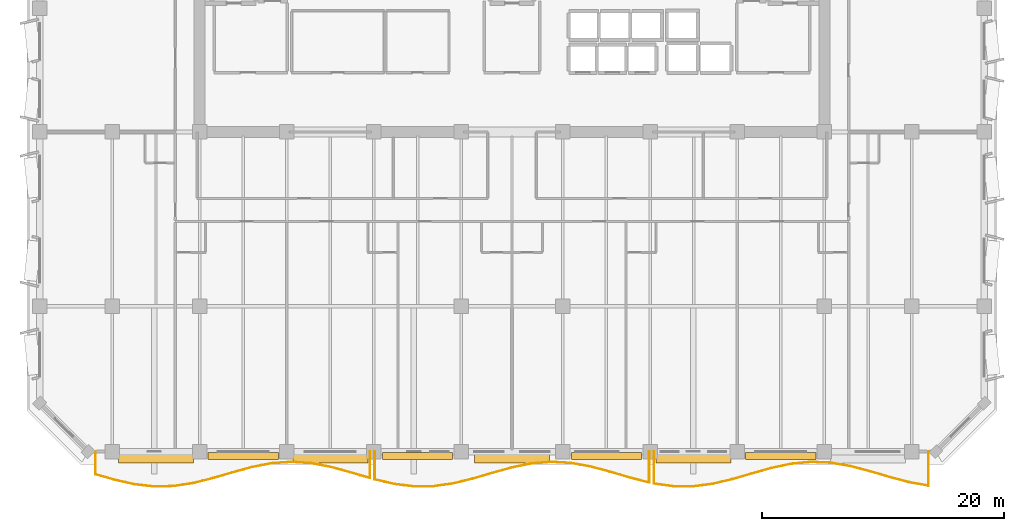
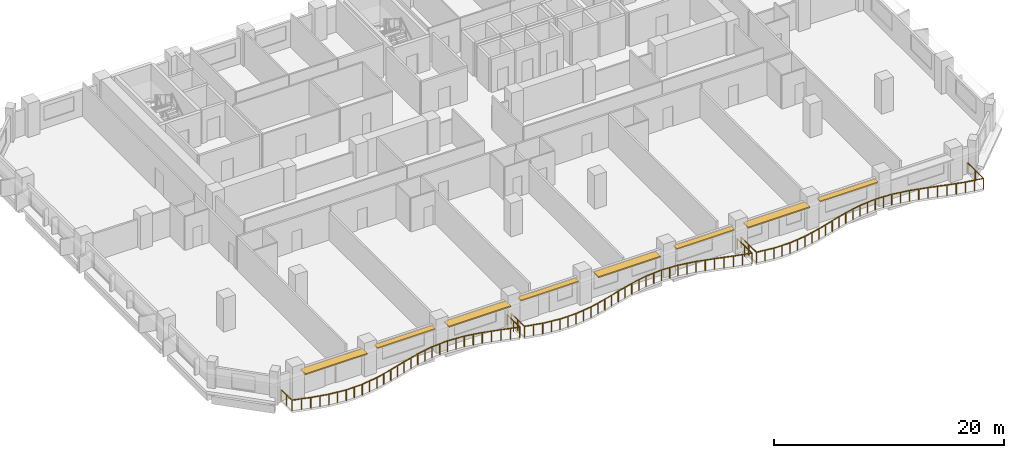
# One storey, part 10 of 14: 8 shading devices, 3 railings.
"""IFC4 building model written with IfcOpenShell, lengths in metres."""

import ifcopenshell
import ifcopenshell.guid

model = None  # the IFC model being written
_history = None  # IfcOwnerHistory: only IFC2X3 demands one
_inside = {}  # id of a spatial element -> (the spatial element, [elements in it])
_under = {}  # id of a project, library or spatial element -> (it, [spatial elements below it])
_declared = {}  # id of a project -> (the project, [libraries it declares])
_typed = {}  # id of a type object -> (the type object, [elements of that type])
_made_of = {}  # id of a material, layer set ... -> (it, [elements and type objects made of it])


def new_model(schema):
    """Start an empty IFC model of exactly this schema.

    Asked for "IFC4X3", IfcOpenShell would pick the latest addendum, in which some entities
    have other attributes; the version numbers below select the first issue.
    IFC2X3 requires an IfcOwnerHistory on every rooted entity: one is made here for all.
    """
    global model, _history
    if schema == "IFC4X3":
        model = ifcopenshell.file(schema_version=(4, 3, 0, 0))
    else:
        model = ifcopenshell.file(schema=schema)
    _inside.clear()
    _under.clear()
    _declared.clear()
    _typed.clear()
    _made_of.clear()
    _history = None
    if model.schema == "IFC2X3":
        org = make("IfcOrganization", Name="unknown")
        user = make(
            "IfcPersonAndOrganization",
            ThePerson=make("IfcPerson", FamilyName="unknown"),
            TheOrganization=org,
        )
        app = make(
            "IfcApplication",
            ApplicationDeveloper=org,
            Version="unknown",
            ApplicationFullName="unknown",
            ApplicationIdentifier="unknown",
        )
        _history = make(
            "IfcOwnerHistory",
            OwningUser=user,
            OwningApplication=app,
            ChangeAction="ADDED",
            CreationDate=0,
        )
    return model


def make(cls, **values):
    """One entity of the class cls with the attributes given. An attribute that is None is left unset."""
    return model.create_entity(
        cls, **{name: value for name, value in values.items() if value is not None}
    )


def rooted(cls, **values):
    """An entity with a GlobalId (a new one), such as an element, a storey or a relation."""
    return make(cls, GlobalId=ifcopenshell.guid.new(), OwnerHistory=_history, **values)


def si_unit(unit_type, name, prefix=None):
    """IfcSIUnit, for example si_unit("LENGTHUNIT", "METRE", prefix="MILLI")."""
    return make("IfcSIUnit", UnitType=unit_type, Prefix=prefix, Name=name)


def assignment(units):
    """IfcUnitAssignment: the units of a project."""
    return None if units is None else make("IfcUnitAssignment", Units=units)


def point(xyz):
    """IfcCartesianPoint."""
    return None if xyz is None else make("IfcCartesianPoint", Coordinates=xyz)


def direction(xyz):
    """IfcDirection."""
    return None if xyz is None else make("IfcDirection", DirectionRatios=xyz)


def frame(location, z_axis=None, x_axis=None):
    """IfcAxis2Placement3D, a coordinate frame: its origin and axes. An axis left out is left unset."""
    return make(
        "IfcAxis2Placement3D",
        Location=point(location),
        Axis=direction(z_axis),
        RefDirection=direction(x_axis),
    )


def frame_2d(location, x_axis=None):
    """IfcAxis2Placement2D, a coordinate frame in the plane: its origin and x axis."""
    return make(
        "IfcAxis2Placement2D", Location=point(location), RefDirection=direction(x_axis)
    )


def origin():
    """The frame at (0, 0, 0) with its axes left unset."""
    return frame((0.0, 0.0, 0.0))


def origin_2d():
    """The frame at (0, 0) in the plane with its x axis left unset."""
    return frame_2d((0.0, 0.0))


def place(relative_to, where):
    """IfcLocalPlacement: puts the frame where relative to a parent placement (None: the world)."""
    return make(
        "IfcLocalPlacement", PlacementRelTo=relative_to, RelativePlacement=where
    )


def context(
    kind, dimensions, precision=None, world=None, true_north=None, identifier=None
):
    """IfcGeometricRepresentationContext, for example the 3D "Model" context."""
    return make(
        "IfcGeometricRepresentationContext",
        ContextIdentifier=identifier,
        ContextType=kind,
        CoordinateSpaceDimension=dimensions,
        Precision=precision,
        WorldCoordinateSystem=world,
        TrueNorth=true_north,
    )


def subcontext(parent, identifier, kind, view, scale=None):
    """IfcGeometricRepresentationSubContext, for example "Body" below "Model"."""
    return make(
        "IfcGeometricRepresentationSubContext",
        ContextIdentifier=identifier,
        ContextType=kind,
        ParentContext=parent,
        TargetScale=scale,
        TargetView=view,
    )


def project(units=None, contexts=None):
    """IfcProject with its units and contexts."""
    return rooted(
        "IfcProject",
        Name="project",
        RepresentationContexts=contexts,
        UnitsInContext=assignment(units),
    )


def spatial(cls, under=None, at=None, **own):
    """A site, building, storey or space (cls), placed at a placement, below another one or the project."""
    s = rooted(cls, ObjectPlacement=at, **own)
    if under is not None:
        _under.setdefault(under.id(), (under, []))[1].append(s)
    return s


def profile(cls, at=None, kind="AREA", **sizes):
    """A parametric profile (cls). Its sizes go by their IFC names, for example OverallWidth=200.0."""
    return make(cls, ProfileType=kind, Position=at, **sizes)


def rectangle(**sizes):
    """IfcRectangleProfileDef."""
    return profile("IfcRectangleProfileDef", **sizes)


def extrude(swept, where, along, depth):
    """IfcExtrudedAreaSolid: the profile swept, set in the frame where, extruded along a direction by depth."""
    return make(
        "IfcExtrudedAreaSolid",
        SweptArea=swept,
        Position=where,
        ExtrudedDirection=direction(along),
        Depth=depth,
    )


def shape(context_of_items, identifier, shape_type, items):
    """IfcShapeRepresentation: the items that make up one representation, for example the "Body"."""
    return make(
        "IfcShapeRepresentation",
        ContextOfItems=context_of_items,
        RepresentationIdentifier=identifier,
        RepresentationType=shape_type,
        Items=items,
    )


def material(Name=None, Category=None):
    """IfcMaterial."""
    return make("IfcMaterial", Name=Name, Category=Category)


def layer(
    of_material, thickness, ventilated=None, Name=None, Category=None, Priority=None
):
    """IfcMaterialLayer: one layer of a wall or slab, of a material (None: an air gap)."""
    return make(
        "IfcMaterialLayer",
        Material=of_material,
        LayerThickness=thickness,
        IsVentilated=ventilated,
        Name=Name,
        Category=Category,
        Priority=Priority,
    )


def layer_set(layers, Name=None):
    """IfcMaterialLayerSet."""
    return make("IfcMaterialLayerSet", MaterialLayers=layers, LayerSetName=Name)


def made_of(thing, what):
    """Note that an element or type object is made of a material, layer set ...; save() writes the relation."""
    if what is not None:
        _made_of.setdefault(what.id(), (what, []))[1].append(thing)
    return thing


def type_object(cls, material=None, **own):
    """A type object (cls), such as IfcWallType, which elements share."""
    return made_of(rooted(cls, **own), material)


def element(
    cls,
    number,
    at=None,
    inside=None,
    cuts=None,
    type_object=None,
    material=None,
    context=None,
    identifier="Body",
    shape_type=None,
    held_by="IfcProductDefinitionShape",
    body=None,
    shapes=None,
    **own,
):
    """One element of the class cls, such as IfcWall. Its Tag is "e" and its number.

    at: its placement. inside: the storey or other place that contains it. cuts: it is an
    opening in that element (IfcRelVoidsElement). A single representation is given by context,
    identifier, shape_type and body (its items); several are given by shapes. held_by: the class
    of the entity that holds the representations. save() writes the other relations.
    """
    e = rooted(cls, Tag="e%d" % number, ObjectPlacement=at, **own)
    if body is not None:
        shapes = [shape(context, identifier, shape_type, body)]
    if shapes is not None:
        e.Representation = make(held_by, Representations=shapes)
    if inside is not None:
        _inside.setdefault(inside.id(), (inside, []))[1].append(e)
    if cuts is not None:
        rooted(
            "IfcRelVoidsElement", RelatingBuildingElement=cuts, RelatedOpeningElement=e
        )
    if type_object is not None:
        _typed.setdefault(type_object.id(), (type_object, []))[1].append(e)
    return made_of(e, material)


def aggregate(whole, parts):
    """IfcRelAggregates: a whole, such as a stair, and the parts it consists of."""
    return rooted("IfcRelAggregates", RelatingObject=whole, RelatedObjects=parts)


def save(model, path):
    """Write the relations noted so far, then the file.

    IfcRelAggregates (storeys below a building ...), IfcRelContainedInSpatialStructure (elements
    in a storey), IfcRelDefinesByType, IfcRelAssociatesMaterial and IfcRelDeclares: one each for
    every whole, place, type object, material and project.
    """
    for whole, parts in _under.values():
        aggregate(whole, parts)
    for where, things in _inside.values():
        rooted(
            "IfcRelContainedInSpatialStructure",
            RelatedElements=things,
            RelatingStructure=where,
        )
    for kind, things in _typed.values():
        rooted("IfcRelDefinesByType", RelatedObjects=things, RelatingType=kind)
    for what, things in _made_of.values():
        rooted("IfcRelAssociatesMaterial", RelatedObjects=things, RelatingMaterial=what)
    for by, libraries in _declared.values():
        rooted("IfcRelDeclares", RelatingContext=by, RelatedDefinitions=libraries)
    model.write(path)


model = new_model("IFC4")

# Units and contexts
model_context = context("Model", 3, precision=1e-05, world=origin(), true_north=direction((0.0, 1.0)))
body_context = subcontext(model_context, "Body", "Model", "MODEL_VIEW")
ifc_project = project(units=[si_unit("LENGTHUNIT", "METRE"), si_unit("AREAUNIT", "SQUARE_METRE"), si_unit("VOLUMEUNIT", "CUBIC_METRE"), si_unit("PLANEANGLEUNIT", "RADIAN"), si_unit("MASSUNIT", "GRAM", prefix="KILO")], contexts=[model_context])

# Site, building, storey
site_placement = place(None, origin())
site = spatial("IfcSite", under=ifc_project, at=site_placement, CompositionType="ELEMENT")
building_placement = place(site_placement, origin())
building = spatial("IfcBuilding", under=site, at=building_placement, Name="Kaelvorn Grand Hotel", CompositionType="ELEMENT")
storey_placement = place(building_placement, frame((0.0, 0.0, 190.14990234375)))
storey = spatial("IfcBuildingStorey", under=building, at=storey_placement, Name="L46", CompositionType="ELEMENT", Elevation=190.14990234375)

# Railings
ifc_material_1 = material(Name="Stainless Steel", Category="steel")
railing_type = type_object("IfcRailingType", Name="RL-BALC-1150", PredefinedType="BALUSTRADE", material=ifc_material_1)
railing_1_placement = place(storey_placement, frame((7.60009765625, 3.0, 0.0)))
element("IfcRailing", 1, at=railing_1_placement, inside=storey, type_object=railing_type, Name="L46 Scalloped Wave Balcony Balustrade GR1-1", PredefinedType="BALUSTRADE", context=body_context, shape_type="SweptSolid", body=[
    extrude(rectangle(XDim=0.048095703125, YDim=0.048095703125, at=origin_2d()), frame((0.0, 0.0, 1.1259765625), z_axis=(0.0, -1.0, 0.0), x_axis=(1.0, 0.0, 0.0)), (0.0, 0.0, 1.0), 1.875),
    extrude(rectangle(XDim=0.048095703125, YDim=0.048095703125, at=origin_2d()), frame((0.0, -1.875, 1.1259765625), z_axis=(0.961123652399, -0.276118316667, 0.0), x_axis=(0.276118316667, 0.961123652399, 0.0)), (0.0, 0.0, 1.0), 1.684326171875),
    extrude(rectangle(XDim=0.048095703125, YDim=0.048095703125, at=origin_2d()), frame((1.618896484375, -2.340087890625, 1.1259765625), z_axis=(0.975679021294, -0.219204122697, 0.0), x_axis=(0.219204122697, 0.975679021294, 0.0)), (0.0, 0.0, 1.0), 1.659423828125),
    extrude(rectangle(XDim=0.048095703125, YDim=0.048095703125, at=origin_2d()), frame((3.238037109375, -2.703857421875, 1.1259765625), z_axis=(0.993647594746, -0.112536471672, 0.0), x_axis=(0.112536471672, 0.993647594746, 0.0)), (0.0, 0.0, 1.0), 1.629150390625),
    extrude(rectangle(XDim=0.048095703125, YDim=0.048095703125, at=origin_2d()), frame((4.85693359375, -2.88720703125, 1.1259765625), z_axis=(0.999737459028, 0.022913162511, 0.0), x_axis=(-0.022913162511, 0.999737459028, 0.0)), (0.0, 0.0, 1.0), 1.61962890625),
    extrude(rectangle(XDim=0.048095703125, YDim=0.048095703125, at=origin_2d()), frame((6.47607421875, -2.85009765625, 1.1259765625), z_axis=(0.988356186669, 0.15215797144, 0.0), x_axis=(-0.15215797144, 0.988356186669, 0.0)), (0.0, 0.0, 1.0), 1.63818359375),
    extrude(rectangle(XDim=0.048095703125, YDim=0.048095703125, at=origin_2d()), frame((8.09521484375, -2.600830078125, 1.1259765625), z_axis=(0.969754143814, 0.244083798224, 0.0), x_axis=(-0.244083798224, 0.969754143814, 0.0)), (0.0, 0.0, 1.0), 1.66943359375),
    extrude(rectangle(XDim=0.048095703125, YDim=0.048095703125, at=origin_2d()), frame((9.714111328125, -2.193359375, 1.1259765625), z_axis=(0.959271015447, 0.282487378343, 0.0), x_axis=(-0.282487378343, 0.959271015447, 0.0)), (0.0, 0.0, 1.0), 1.68798828125),
    extrude(rectangle(XDim=0.048095703125, YDim=0.048095703125, at=origin_2d()), frame((11.333251953125, -1.716552734375, 1.1259765625), z_axis=(0.964679853883, 0.26342509279, 0.0), x_axis=(-0.26342509279, 0.964679853883, 0.0)), (0.0, 0.0, 1.0), 1.678466796875),
    extrude(rectangle(XDim=0.048095703125, YDim=0.048095703125, at=origin_2d()), frame((12.952392578125, -1.2744140625, 1.1259765625), z_axis=(0.981984258407, 0.188962737706, 0.0), x_axis=(-0.188962737706, 0.981984258407, 0.0)), (0.0, 0.0, 1.0), 1.648681640625),
    extrude(rectangle(XDim=0.048095703125, YDim=0.048095703125, at=origin_2d()), frame((14.5712890625, -0.962890625, 1.1259765625), z_axis=(0.997582381569, 0.069493826943, 0.0), x_axis=(-0.069493826943, 0.997582381569, 0.0)), (0.0, 0.0, 1.0), 1.623046875),
    extrude(rectangle(XDim=0.048095703125, YDim=0.048095703125, at=origin_2d()), frame((16.1904296875, -0.85009765625, 1.1259765625), z_axis=(0.997695050209, -0.067857105662, 0.0), x_axis=(0.067857105662, 0.997695050209, 0.0)), (0.0, 0.0, 1.0), 1.62255859375),
    extrude(rectangle(XDim=0.048095703125, YDim=0.048095703125, at=origin_2d()), frame((17.809326171875, -0.960205078125, 1.1259765625), z_axis=(0.98220870142, -0.187792616616, 0.0), x_axis=(0.187792616616, 0.98220870142, 0.0)), (0.0, 0.0, 1.0), 1.6484375),
    extrude(rectangle(XDim=0.048095703125, YDim=0.048095703125, at=origin_2d()), frame((19.428466796875, -1.269775390625, 1.1259765625), z_axis=(0.964827580551, -0.26288350996, 0.0), x_axis=(0.26288350996, 0.964827580551, 0.0)), (0.0, 0.0, 1.0), 1.67822265625),
    extrude(rectangle(XDim=0.048095703125, YDim=0.048095703125, at=origin_2d()), frame((21.047607421875, -1.7109375, 1.1259765625), z_axis=(0.95922025705, -0.282659686665, 0.0), x_axis=(0.282659686665, 0.95922025705, 0.0)), (0.0, 0.0, 1.0), 1.687744140625),
    extrude(rectangle(XDim=0.048095703125, YDim=0.048095703125, at=origin_2d()), frame((22.66650390625, -2.18798828125, 1.1259765625), z_axis=(0.0, 1.0, 0.0), x_axis=(-1.0, 0.0, 0.0)), (0.0, 0.0, 1.0), 2.18798828125),
    extrude(rectangle(XDim=0.0419921875, YDim=0.0419921875, at=origin_2d()), origin(), (0.0, 0.0, 1.0), 1.101806640625),
    extrude(rectangle(XDim=0.0419921875, YDim=0.0419921875, at=origin_2d()), frame((0.0, -0.9375, 0.0)), (0.0, 0.0, 1.0), 1.101806640625),
    extrude(rectangle(XDim=0.0419921875, YDim=0.0419921875, at=origin_2d()), frame((0.0, -1.875, 0.0)), (0.0, 0.0, 1.0), 1.101806640625),
    extrude(rectangle(XDim=0.0419921875, YDim=0.0419921875, at=origin_2d()), frame((0.8095703125, -2.107421875, 0.0)), (0.0, 0.0, 1.0), 1.101806640625),
    extrude(rectangle(XDim=0.0419921875, YDim=0.0419921875, at=origin_2d()), frame((1.618896484375, -2.340087890625, 0.0)), (0.0, 0.0, 1.0), 1.101806640625),
    extrude(rectangle(XDim=0.0419921875, YDim=0.0419921875, at=origin_2d()), frame((2.428466796875, -2.52197265625, 0.0)), (0.0, 0.0, 1.0), 1.101806640625),
    extrude(rectangle(XDim=0.0419921875, YDim=0.0419921875, at=origin_2d()), frame((3.238037109375, -2.703857421875, 0.0)), (0.0, 0.0, 1.0), 1.101806640625),
    extrude(rectangle(XDim=0.0419921875, YDim=0.0419921875, at=origin_2d()), frame((4.04736328125, -2.79541015625, 0.0)), (0.0, 0.0, 1.0), 1.101806640625),
    extrude(rectangle(XDim=0.0419921875, YDim=0.0419921875, at=origin_2d()), frame((4.85693359375, -2.88720703125, 0.0)), (0.0, 0.0, 1.0), 1.101806640625),
    extrude(rectangle(XDim=0.0419921875, YDim=0.0419921875, at=origin_2d()), frame((5.66650390625, -2.86865234375, 0.0)), (0.0, 0.0, 1.0), 1.101806640625),
    extrude(rectangle(XDim=0.0419921875, YDim=0.0419921875, at=origin_2d()), frame((6.47607421875, -2.85009765625, 0.0)), (0.0, 0.0, 1.0), 1.101806640625),
    extrude(rectangle(XDim=0.0419921875, YDim=0.0419921875, at=origin_2d()), frame((7.28564453125, -2.7255859375, 0.0)), (0.0, 0.0, 1.0), 1.101806640625),
    extrude(rectangle(XDim=0.0419921875, YDim=0.0419921875, at=origin_2d()), frame((8.09521484375, -2.600830078125, 0.0)), (0.0, 0.0, 1.0), 1.101806640625),
    extrude(rectangle(XDim=0.0419921875, YDim=0.0419921875, at=origin_2d()), frame((8.90478515625, -2.39697265625, 0.0)), (0.0, 0.0, 1.0), 1.101806640625),
    extrude(rectangle(XDim=0.0419921875, YDim=0.0419921875, at=origin_2d()), frame((9.714111328125, -2.193359375, 0.0)), (0.0, 0.0, 1.0), 1.101806640625),
    extrude(rectangle(XDim=0.0419921875, YDim=0.0419921875, at=origin_2d()), frame((10.523681640625, -1.955078125, 0.0)), (0.0, 0.0, 1.0), 1.101806640625),
    extrude(rectangle(XDim=0.0419921875, YDim=0.0419921875, at=origin_2d()), frame((11.333251953125, -1.716552734375, 0.0)), (0.0, 0.0, 1.0), 1.101806640625),
    extrude(rectangle(XDim=0.0419921875, YDim=0.0419921875, at=origin_2d()), frame((12.142822265625, -1.49560546875, 0.0)), (0.0, 0.0, 1.0), 1.101806640625),
    extrude(rectangle(XDim=0.0419921875, YDim=0.0419921875, at=origin_2d()), frame((12.952392578125, -1.2744140625, 0.0)), (0.0, 0.0, 1.0), 1.101806640625),
    extrude(rectangle(XDim=0.0419921875, YDim=0.0419921875, at=origin_2d()), frame((13.76171875, -1.11865234375, 0.0)), (0.0, 0.0, 1.0), 1.101806640625),
    extrude(rectangle(XDim=0.0419921875, YDim=0.0419921875, at=origin_2d()), frame((14.5712890625, -0.962890625, 0.0)), (0.0, 0.0, 1.0), 1.101806640625),
    extrude(rectangle(XDim=0.0419921875, YDim=0.0419921875, at=origin_2d()), frame((15.380859375, -0.906494140625, 0.0)), (0.0, 0.0, 1.0), 1.101806640625),
    extrude(rectangle(XDim=0.0419921875, YDim=0.0419921875, at=origin_2d()), frame((16.1904296875, -0.85009765625, 0.0)), (0.0, 0.0, 1.0), 1.101806640625),
    extrude(rectangle(XDim=0.0419921875, YDim=0.0419921875, at=origin_2d()), frame((17.0, -0.9052734375, 0.0)), (0.0, 0.0, 1.0), 1.101806640625),
    extrude(rectangle(XDim=0.0419921875, YDim=0.0419921875, at=origin_2d()), frame((17.809326171875, -0.960205078125, 0.0)), (0.0, 0.0, 1.0), 1.101806640625),
    extrude(rectangle(XDim=0.0419921875, YDim=0.0419921875, at=origin_2d()), frame((18.618896484375, -1.114990234375, 0.0)), (0.0, 0.0, 1.0), 1.101806640625),
    extrude(rectangle(XDim=0.0419921875, YDim=0.0419921875, at=origin_2d()), frame((19.428466796875, -1.269775390625, 0.0)), (0.0, 0.0, 1.0), 1.101806640625),
    extrude(rectangle(XDim=0.0419921875, YDim=0.0419921875, at=origin_2d()), frame((20.238037109375, -1.490234375, 0.0)), (0.0, 0.0, 1.0), 1.101806640625),
    extrude(rectangle(XDim=0.0419921875, YDim=0.0419921875, at=origin_2d()), frame((21.047607421875, -1.7109375, 0.0)), (0.0, 0.0, 1.0), 1.101806640625),
    extrude(rectangle(XDim=0.0419921875, YDim=0.0419921875, at=origin_2d()), frame((21.85693359375, -1.949462890625, 0.0)), (0.0, 0.0, 1.0), 1.101806640625),
    extrude(rectangle(XDim=0.0419921875, YDim=0.0419921875, at=origin_2d()), frame((22.66650390625, -2.18798828125, 0.0)), (0.0, 0.0, 1.0), 1.101806640625),
    extrude(rectangle(XDim=0.0419921875, YDim=0.0419921875, at=origin_2d()), frame((22.66650390625, -1.093994140625, 0.0)), (0.0, 0.0, 1.0), 1.101806640625),
    extrude(rectangle(XDim=0.0419921875, YDim=0.0419921875, at=origin_2d()), frame((22.66650390625, 0.0, 0.0)), (0.0, 0.0, 1.0), 1.101806640625),
])
railing_2_placement = place(storey_placement, frame((30.666748046875, 3.0, 0.0)))
element("IfcRailing", 2, at=railing_2_placement, inside=storey, type_object=railing_type, Name="L46 Scalloped Wave Balcony Balustrade GR1-2", PredefinedType="BALUSTRADE", context=body_context, shape_type="SweptSolid", body=[
    extrude(rectangle(XDim=0.048095703125, YDim=0.048095703125, at=origin_2d()), frame((0.0, 0.0, 1.1259765625), z_axis=(0.0, -1.0, 0.0), x_axis=(1.0, 0.0, 0.0)), (0.0, 0.0, 1.0), 2.299072265625),
    extrude(rectangle(XDim=0.048095703125, YDim=0.048095703125, at=origin_2d()), frame((0.0, -2.299072265625, 1.1259765625), z_axis=(0.97391374526, -0.226918524571, 0.0), x_axis=(0.226918524571, 0.97391374526, 0.0)), (0.0, 0.0, 1.0), 1.662353515625),
    extrude(rectangle(XDim=0.048095703125, YDim=0.048095703125, at=origin_2d()), frame((1.618896484375, -2.67626953125, 1.1259765625), z_axis=(0.992241004877, -0.124329353898, 0.0), x_axis=(0.124329353898, 0.992241004877, 0.0)), (0.0, 0.0, 1.0), 1.6318359375),
    extrude(rectangle(XDim=0.048095703125, YDim=0.048095703125, at=origin_2d()), frame((3.238037109375, -2.879150390625, 1.1259765625), z_axis=(0.999951974002, 0.009800494317, 0.0), x_axis=(-0.009800494317, 0.999951974002, 0.0)), (0.0, 0.0, 1.0), 1.619140625),
    extrude(rectangle(XDim=0.048095703125, YDim=0.048095703125, at=origin_2d()), frame((4.857177734375, -2.86328125, 1.1259765625), z_axis=(0.98995546446, 0.141379554342, 0.0), x_axis=(-0.141379554342, 0.98995546446, 0.0)), (0.0, 0.0, 1.0), 1.63525390625),
    extrude(rectangle(XDim=0.048095703125, YDim=0.048095703125, at=origin_2d()), frame((6.47607421875, -2.632080078125, 1.1259765625), z_axis=(0.971404261789, 0.237431590525, 0.0), x_axis=(-0.237431590525, 0.971404261789, 0.0)), (0.0, 0.0, 1.0), 1.666748046875),
    extrude(rectangle(XDim=0.048095703125, YDim=0.048095703125, at=origin_2d()), frame((8.09521484375, -2.236328125, 1.1259765625), z_axis=(0.959611705513, 0.281327877472, 0.0), x_axis=(-0.281327877472, 0.959611705513, 0.0)), (0.0, 0.0, 1.0), 1.68701171875),
    extrude(rectangle(XDim=0.048095703125, YDim=0.048095703125, at=origin_2d()), frame((9.714111328125, -1.76171875, 1.1259765625), z_axis=(0.963488764912, 0.267748762626, 0.0), x_axis=(-0.267748762626, 0.963488764912, 0.0)), (0.0, 0.0, 1.0), 1.680419921875),
    extrude(rectangle(XDim=0.048095703125, YDim=0.048095703125, at=origin_2d()), frame((11.333251953125, -1.311767578125, 1.1259765625), z_axis=(0.980192223975, 0.198048489163, 0.0), x_axis=(-0.198048489163, 0.980192223975, 0.0)), (0.0, 0.0, 1.0), 1.65185546875),
    extrude(rectangle(XDim=0.048095703125, YDim=0.048095703125, at=origin_2d()), frame((12.952392578125, -0.984619140625, 1.1259765625), z_axis=(0.996614857053, 0.082212083669, 0.0), x_axis=(-0.082212083669, 0.996614857053, 0.0)), (0.0, 0.0, 1.0), 1.62451171875),
    extrude(rectangle(XDim=0.048095703125, YDim=0.048095703125, at=origin_2d()), frame((14.5712890625, -0.85107421875, 1.1259765625), z_axis=(0.998472373967, -0.055253220936, 0.0), x_axis=(0.055253220936, 0.998472373967, 0.0)), (0.0, 0.0, 1.0), 1.62158203125),
    extrude(rectangle(XDim=0.048095703125, YDim=0.048095703125, at=origin_2d()), frame((16.1904296875, -0.940673828125, 1.1259765625), z_axis=(0.984016786226, -0.178075726658, 0.0), x_axis=(0.178075726658, 0.984016786226, 0.0)), (0.0, 0.0, 1.0), 1.645263671875),
    extrude(rectangle(XDim=0.048095703125, YDim=0.048095703125, at=origin_2d()), frame((17.809326171875, -1.233642578125, 1.1259765625), z_axis=(0.966109097748, -0.258134095478, 0.0), x_axis=(0.258134095478, 0.966109097748, 0.0)), (0.0, 0.0, 1.0), 1.676025390625),
    extrude(rectangle(XDim=0.048095703125, YDim=0.048095703125, at=origin_2d()), frame((19.428466796875, -1.666259765625, 1.1259765625), z_axis=(0.959074846834, -0.283152676433, 0.0), x_axis=(0.283152676433, 0.959074846834, 0.0)), (0.0, 0.0, 1.0), 1.688232421875),
    extrude(rectangle(XDim=0.048095703125, YDim=0.048095703125, at=origin_2d()), frame((21.047607421875, -2.144287109375, 1.1259765625), z_axis=(0.968037604071, -0.250805097843, 0.0), x_axis=(0.250805097843, 0.968037604071, 0.0)), (0.0, 0.0, 1.0), 1.67236328125),
    extrude(rectangle(XDim=0.048095703125, YDim=0.048095703125, at=origin_2d()), frame((22.66650390625, -2.563720703125, 1.1259765625), z_axis=(0.0, 1.0, 0.0), x_axis=(-1.0, 0.0, 0.0)), (0.0, 0.0, 1.0), 2.563720703125),
    extrude(rectangle(XDim=0.0419921875, YDim=0.0419921875, at=origin_2d()), origin(), (0.0, 0.0, 1.0), 1.101806640625),
    extrude(rectangle(XDim=0.0419921875, YDim=0.0419921875, at=origin_2d()), frame((0.0, -1.1494140625, 0.0)), (0.0, 0.0, 1.0), 1.101806640625),
    extrude(rectangle(XDim=0.0419921875, YDim=0.0419921875, at=origin_2d()), frame((0.0, -2.299072265625, 0.0)), (0.0, 0.0, 1.0), 1.101806640625),
    extrude(rectangle(XDim=0.0419921875, YDim=0.0419921875, at=origin_2d()), frame((0.8095703125, -2.48779296875, 0.0)), (0.0, 0.0, 1.0), 1.101806640625),
    extrude(rectangle(XDim=0.0419921875, YDim=0.0419921875, at=origin_2d()), frame((1.618896484375, -2.67626953125, 0.0)), (0.0, 0.0, 1.0), 1.101806640625),
    extrude(rectangle(XDim=0.0419921875, YDim=0.0419921875, at=origin_2d()), frame((2.428466796875, -2.77783203125, 0.0)), (0.0, 0.0, 1.0), 1.101806640625),
    extrude(rectangle(XDim=0.0419921875, YDim=0.0419921875, at=origin_2d()), frame((3.238037109375, -2.879150390625, 0.0)), (0.0, 0.0, 1.0), 1.101806640625),
    extrude(rectangle(XDim=0.0419921875, YDim=0.0419921875, at=origin_2d()), frame((4.047607421875, -2.87109375, 0.0)), (0.0, 0.0, 1.0), 1.101806640625),
    extrude(rectangle(XDim=0.0419921875, YDim=0.0419921875, at=origin_2d()), frame((4.857177734375, -2.86328125, 0.0)), (0.0, 0.0, 1.0), 1.101806640625),
    extrude(rectangle(XDim=0.0419921875, YDim=0.0419921875, at=origin_2d()), frame((5.66650390625, -2.74755859375, 0.0)), (0.0, 0.0, 1.0), 1.101806640625),
    extrude(rectangle(XDim=0.0419921875, YDim=0.0419921875, at=origin_2d()), frame((6.47607421875, -2.632080078125, 0.0)), (0.0, 0.0, 1.0), 1.101806640625),
    extrude(rectangle(XDim=0.0419921875, YDim=0.0419921875, at=origin_2d()), frame((7.28564453125, -2.43408203125, 0.0)), (0.0, 0.0, 1.0), 1.101806640625),
    extrude(rectangle(XDim=0.0419921875, YDim=0.0419921875, at=origin_2d()), frame((8.09521484375, -2.236328125, 0.0)), (0.0, 0.0, 1.0), 1.101806640625),
    extrude(rectangle(XDim=0.0419921875, YDim=0.0419921875, at=origin_2d()), frame((8.90478515625, -1.9990234375, 0.0)), (0.0, 0.0, 1.0), 1.101806640625),
    extrude(rectangle(XDim=0.0419921875, YDim=0.0419921875, at=origin_2d()), frame((9.714111328125, -1.76171875, 0.0)), (0.0, 0.0, 1.0), 1.101806640625),
    extrude(rectangle(XDim=0.0419921875, YDim=0.0419921875, at=origin_2d()), frame((10.523681640625, -1.53662109375, 0.0)), (0.0, 0.0, 1.0), 1.101806640625),
    extrude(rectangle(XDim=0.0419921875, YDim=0.0419921875, at=origin_2d()), frame((11.333251953125, -1.311767578125, 0.0)), (0.0, 0.0, 1.0), 1.101806640625),
    extrude(rectangle(XDim=0.0419921875, YDim=0.0419921875, at=origin_2d()), frame((12.142822265625, -1.148193359375, 0.0)), (0.0, 0.0, 1.0), 1.101806640625),
    extrude(rectangle(XDim=0.0419921875, YDim=0.0419921875, at=origin_2d()), frame((12.952392578125, -0.984619140625, 0.0)), (0.0, 0.0, 1.0), 1.101806640625),
    extrude(rectangle(XDim=0.0419921875, YDim=0.0419921875, at=origin_2d()), frame((13.76171875, -0.91796875, 0.0)), (0.0, 0.0, 1.0), 1.101806640625),
    extrude(rectangle(XDim=0.0419921875, YDim=0.0419921875, at=origin_2d()), frame((14.5712890625, -0.85107421875, 0.0)), (0.0, 0.0, 1.0), 1.101806640625),
    extrude(rectangle(XDim=0.0419921875, YDim=0.0419921875, at=origin_2d()), frame((15.380859375, -0.89599609375, 0.0)), (0.0, 0.0, 1.0), 1.101806640625),
    extrude(rectangle(XDim=0.0419921875, YDim=0.0419921875, at=origin_2d()), frame((16.1904296875, -0.940673828125, 0.0)), (0.0, 0.0, 1.0), 1.101806640625),
    extrude(rectangle(XDim=0.0419921875, YDim=0.0419921875, at=origin_2d()), frame((17.0, -1.087158203125, 0.0)), (0.0, 0.0, 1.0), 1.101806640625),
    extrude(rectangle(XDim=0.0419921875, YDim=0.0419921875, at=origin_2d()), frame((17.809326171875, -1.233642578125, 0.0)), (0.0, 0.0, 1.0), 1.101806640625),
    extrude(rectangle(XDim=0.0419921875, YDim=0.0419921875, at=origin_2d()), frame((18.618896484375, -1.449951171875, 0.0)), (0.0, 0.0, 1.0), 1.101806640625),
    extrude(rectangle(XDim=0.0419921875, YDim=0.0419921875, at=origin_2d()), frame((19.428466796875, -1.666259765625, 0.0)), (0.0, 0.0, 1.0), 1.101806640625),
    extrude(rectangle(XDim=0.0419921875, YDim=0.0419921875, at=origin_2d()), frame((20.238037109375, -1.9052734375, 0.0)), (0.0, 0.0, 1.0), 1.101806640625),
    extrude(rectangle(XDim=0.0419921875, YDim=0.0419921875, at=origin_2d()), frame((21.047607421875, -2.144287109375, 0.0)), (0.0, 0.0, 1.0), 1.101806640625),
    extrude(rectangle(XDim=0.0419921875, YDim=0.0419921875, at=origin_2d()), frame((21.85693359375, -2.35400390625, 0.0)), (0.0, 0.0, 1.0), 1.101806640625),
    extrude(rectangle(XDim=0.0419921875, YDim=0.0419921875, at=origin_2d()), frame((22.66650390625, -2.563720703125, 0.0)), (0.0, 0.0, 1.0), 1.101806640625),
    extrude(rectangle(XDim=0.0419921875, YDim=0.0419921875, at=origin_2d()), frame((22.66650390625, -1.28173828125, 0.0)), (0.0, 0.0, 1.0), 1.101806640625),
    extrude(rectangle(XDim=0.0419921875, YDim=0.0419921875, at=origin_2d()), frame((22.66650390625, 0.0, 0.0)), (0.0, 0.0, 1.0), 1.101806640625),
])
railing_3_placement = place(storey_placement, frame((53.7333984375, 3.0, 0.0)))
element("IfcRailing", 3, at=railing_3_placement, inside=storey, type_object=railing_type, Name="L46 Scalloped Wave Balcony Balustrade GR1-3", PredefinedType="BALUSTRADE", context=body_context, shape_type="SweptSolid", body=[
    extrude(rectangle(XDim=0.048095703125, YDim=0.048095703125, at=origin_2d()), frame((0.0, 0.0, 1.1259765625), z_axis=(0.0, -1.0, 0.0), x_axis=(1.0, 0.0, 0.0)), (0.0, 0.0, 1.0), 2.647216796875),
    extrude(rectangle(XDim=0.048095703125, YDim=0.048095703125, at=origin_2d()), frame((0.0, -2.647216796875, 1.1259765625), z_axis=(0.99075454956, -0.135666585885, 0.0), x_axis=(0.135666585885, 0.99075454956, 0.0)), (0.0, 0.0, 1.0), 1.634033203125),
    extrude(rectangle(XDim=0.048095703125, YDim=0.048095703125, at=origin_2d()), frame((1.618896484375, -2.868896484375, 1.1259765625), z_axis=(0.999994497973, -0.003317231447, 0.0), x_axis=(0.003317231447, 0.999994497973, 0.0)), (0.0, 0.0, 1.0), 1.619140625),
    extrude(rectangle(XDim=0.048095703125, YDim=0.048095703125, at=origin_2d()), frame((3.238037109375, -2.874267578125, 1.1259765625), z_axis=(0.991524375994, 0.129920790522, 0.0), x_axis=(-0.129920790522, 0.991524375994, 0.0)), (0.0, 0.0, 1.0), 1.633056640625),
    extrude(rectangle(XDim=0.048095703125, YDim=0.048095703125, at=origin_2d()), frame((4.857177734375, -2.662109375, 1.1259765625), z_axis=(0.9730309029, 0.230674797068, 0.0), x_axis=(-0.230674797068, 0.9730309029, 0.0)), (0.0, 0.0, 1.0), 1.663818359375),
    extrude(rectangle(XDim=0.048095703125, YDim=0.048095703125, at=origin_2d()), frame((6.47607421875, -2.2783203125, 1.1259765625), z_axis=(0.960129612925, 0.279555229578, 0.0), x_axis=(-0.279555229578, 0.960129612925, 0.0)), (0.0, 0.0, 1.0), 1.686279296875),
    extrude(rectangle(XDim=0.048095703125, YDim=0.048095703125, at=origin_2d()), frame((8.09521484375, -1.806884765625, 1.1259765625), z_axis=(0.962460371108, 0.271422243096, 0.0), x_axis=(-0.271422243096, 0.962460371108, 0.0)), (0.0, 0.0, 1.0), 1.68212890625),
    extrude(rectangle(XDim=0.048095703125, YDim=0.048095703125, at=origin_2d()), frame((9.714111328125, -1.350341796875, 1.1259765625), z_axis=(0.978347405414, 0.206969452623, 0.0), x_axis=(-0.206969452623, 0.978347405414, 0.0)), (0.0, 0.0, 1.0), 1.655029296875),
    extrude(rectangle(XDim=0.048095703125, YDim=0.048095703125, at=origin_2d()), frame((11.333251953125, -1.0078125, 1.1259765625), z_axis=(0.995532502305, 0.094419472851, 0.0), x_axis=(-0.094419472851, 0.995532502305, 0.0)), (0.0, 0.0, 1.0), 1.62646484375),
    extrude(rectangle(XDim=0.048095703125, YDim=0.048095703125, at=origin_2d()), frame((12.952392578125, -0.854248046875, 1.1259765625), z_axis=(0.999103314506, -0.042338716842, 0.0), x_axis=(0.042338716842, 0.999103314506, 0.0)), (0.0, 0.0, 1.0), 1.620361328125),
    extrude(rectangle(XDim=0.048095703125, YDim=0.048095703125, at=origin_2d()), frame((14.5712890625, -0.9228515625, 1.1259765625), z_axis=(0.985768283412, -0.168109760033, 0.0), x_axis=(0.168109760033, 0.985768283412, 0.0)), (0.0, 0.0, 1.0), 1.642578125),
    extrude(rectangle(XDim=0.048095703125, YDim=0.048095703125, at=origin_2d()), frame((16.1904296875, -1.198974609375, 1.1259765625), z_axis=(0.967513392328, -0.252819769135, 0.0), x_axis=(0.252819769135, 0.967513392328, 0.0)), (0.0, 0.0, 1.0), 1.673583984375),
    extrude(rectangle(XDim=0.048095703125, YDim=0.048095703125, at=origin_2d()), frame((17.8095703125, -1.6220703125, 1.1259765625), z_axis=(0.959023960124, -0.283324979322, 0.0), x_axis=(0.283324979322, 0.959023960124, 0.0)), (0.0, 0.0, 1.0), 1.68798828125),
    extrude(rectangle(XDim=0.048095703125, YDim=0.048095703125, at=origin_2d()), frame((19.428466796875, -2.100341796875, 1.1259765625), z_axis=(0.966616093109, -0.256229054838, 0.0), x_axis=(0.256229054838, 0.966616093109, 0.0)), (0.0, 0.0, 1.0), 1.675048828125),
    extrude(rectangle(XDim=0.048095703125, YDim=0.048095703125, at=origin_2d()), frame((21.047607421875, -2.529541015625, 1.1259765625), z_axis=(0.98468623376, -0.174335943061, 0.0), x_axis=(0.174335943061, 0.98468623376, 0.0)), (0.0, 0.0, 1.0), 1.64404296875),
    extrude(rectangle(XDim=0.048095703125, YDim=0.048095703125, at=origin_2d()), frame((22.66650390625, -2.816162109375, 1.1259765625), z_axis=(0.0, 1.0, 0.0), x_axis=(-1.0, 0.0, 0.0)), (0.0, 0.0, 1.0), 2.816162109375),
    extrude(rectangle(XDim=0.0419921875, YDim=0.0419921875, at=origin_2d()), origin(), (0.0, 0.0, 1.0), 1.101806640625),
    extrude(rectangle(XDim=0.0419921875, YDim=0.0419921875, at=origin_2d()), frame((0.0, -1.32373046875, 0.0)), (0.0, 0.0, 1.0), 1.101806640625),
    extrude(rectangle(XDim=0.0419921875, YDim=0.0419921875, at=origin_2d()), frame((0.0, -2.647216796875, 0.0)), (0.0, 0.0, 1.0), 1.101806640625),
    extrude(rectangle(XDim=0.0419921875, YDim=0.0419921875, at=origin_2d()), frame((0.8095703125, -2.758056640625, 0.0)), (0.0, 0.0, 1.0), 1.101806640625),
    extrude(rectangle(XDim=0.0419921875, YDim=0.0419921875, at=origin_2d()), frame((1.618896484375, -2.868896484375, 0.0)), (0.0, 0.0, 1.0), 1.101806640625),
    extrude(rectangle(XDim=0.0419921875, YDim=0.0419921875, at=origin_2d()), frame((2.428466796875, -2.87158203125, 0.0)), (0.0, 0.0, 1.0), 1.101806640625),
    extrude(rectangle(XDim=0.0419921875, YDim=0.0419921875, at=origin_2d()), frame((3.238037109375, -2.874267578125, 0.0)), (0.0, 0.0, 1.0), 1.101806640625),
    extrude(rectangle(XDim=0.0419921875, YDim=0.0419921875, at=origin_2d()), frame((4.047607421875, -2.76806640625, 0.0)), (0.0, 0.0, 1.0), 1.101806640625),
    extrude(rectangle(XDim=0.0419921875, YDim=0.0419921875, at=origin_2d()), frame((4.857177734375, -2.662109375, 0.0)), (0.0, 0.0, 1.0), 1.101806640625),
    extrude(rectangle(XDim=0.0419921875, YDim=0.0419921875, at=origin_2d()), frame((5.66650390625, -2.47021484375, 0.0)), (0.0, 0.0, 1.0), 1.101806640625),
    extrude(rectangle(XDim=0.0419921875, YDim=0.0419921875, at=origin_2d()), frame((6.47607421875, -2.2783203125, 0.0)), (0.0, 0.0, 1.0), 1.101806640625),
    extrude(rectangle(XDim=0.0419921875, YDim=0.0419921875, at=origin_2d()), frame((7.28564453125, -2.04248046875, 0.0)), (0.0, 0.0, 1.0), 1.101806640625),
    extrude(rectangle(XDim=0.0419921875, YDim=0.0419921875, at=origin_2d()), frame((8.09521484375, -1.806884765625, 0.0)), (0.0, 0.0, 1.0), 1.101806640625),
    extrude(rectangle(XDim=0.0419921875, YDim=0.0419921875, at=origin_2d()), frame((8.90478515625, -1.57861328125, 0.0)), (0.0, 0.0, 1.0), 1.101806640625),
    extrude(rectangle(XDim=0.0419921875, YDim=0.0419921875, at=origin_2d()), frame((9.714111328125, -1.350341796875, 0.0)), (0.0, 0.0, 1.0), 1.101806640625),
    extrude(rectangle(XDim=0.0419921875, YDim=0.0419921875, at=origin_2d()), frame((10.523681640625, -1.17919921875, 0.0)), (0.0, 0.0, 1.0), 1.101806640625),
    extrude(rectangle(XDim=0.0419921875, YDim=0.0419921875, at=origin_2d()), frame((11.333251953125, -1.0078125, 0.0)), (0.0, 0.0, 1.0), 1.101806640625),
    extrude(rectangle(XDim=0.0419921875, YDim=0.0419921875, at=origin_2d()), frame((12.142822265625, -0.93115234375, 0.0)), (0.0, 0.0, 1.0), 1.101806640625),
    extrude(rectangle(XDim=0.0419921875, YDim=0.0419921875, at=origin_2d()), frame((12.952392578125, -0.854248046875, 0.0)), (0.0, 0.0, 1.0), 1.101806640625),
    extrude(rectangle(XDim=0.0419921875, YDim=0.0419921875, at=origin_2d()), frame((13.76171875, -0.888671875, 0.0)), (0.0, 0.0, 1.0), 1.101806640625),
    extrude(rectangle(XDim=0.0419921875, YDim=0.0419921875, at=origin_2d()), frame((14.5712890625, -0.9228515625, 0.0)), (0.0, 0.0, 1.0), 1.101806640625),
    extrude(rectangle(XDim=0.0419921875, YDim=0.0419921875, at=origin_2d()), frame((15.380859375, -1.06103515625, 0.0)), (0.0, 0.0, 1.0), 1.101806640625),
    extrude(rectangle(XDim=0.0419921875, YDim=0.0419921875, at=origin_2d()), frame((16.1904296875, -1.198974609375, 0.0)), (0.0, 0.0, 1.0), 1.101806640625),
    extrude(rectangle(XDim=0.0419921875, YDim=0.0419921875, at=origin_2d()), frame((17.0, -1.41064453125, 0.0)), (0.0, 0.0, 1.0), 1.101806640625),
    extrude(rectangle(XDim=0.0419921875, YDim=0.0419921875, at=origin_2d()), frame((17.8095703125, -1.6220703125, 0.0)), (0.0, 0.0, 1.0), 1.101806640625),
    extrude(rectangle(XDim=0.0419921875, YDim=0.0419921875, at=origin_2d()), frame((18.619140625, -1.861328125, 0.0)), (0.0, 0.0, 1.0), 1.101806640625),
    extrude(rectangle(XDim=0.0419921875, YDim=0.0419921875, at=origin_2d()), frame((19.428466796875, -2.100341796875, 0.0)), (0.0, 0.0, 1.0), 1.101806640625),
    extrude(rectangle(XDim=0.0419921875, YDim=0.0419921875, at=origin_2d()), frame((20.238037109375, -2.31494140625, 0.0)), (0.0, 0.0, 1.0), 1.101806640625),
    extrude(rectangle(XDim=0.0419921875, YDim=0.0419921875, at=origin_2d()), frame((21.047607421875, -2.529541015625, 0.0)), (0.0, 0.0, 1.0), 1.101806640625),
    extrude(rectangle(XDim=0.0419921875, YDim=0.0419921875, at=origin_2d()), frame((21.85693359375, -2.6728515625, 0.0)), (0.0, 0.0, 1.0), 1.101806640625),
    extrude(rectangle(XDim=0.0419921875, YDim=0.0419921875, at=origin_2d()), frame((22.66650390625, -2.816162109375, 0.0)), (0.0, 0.0, 1.0), 1.101806640625),
    extrude(rectangle(XDim=0.0419921875, YDim=0.0419921875, at=origin_2d()), frame((22.66650390625, -1.408203125, 0.0)), (0.0, 0.0, 1.0), 1.101806640625),
    extrude(rectangle(XDim=0.0419921875, YDim=0.0419921875, at=origin_2d()), frame((22.66650390625, 0.0, 0.0)), (0.0, 0.0, 1.0), 1.101806640625),
])

# Shading devices
ifc_material_2 = material(Name="Precast concrete C45/55", Category="concrete")
ifc_layer_1 = layer(ifc_material_2, 0.1201171875)
ifc_layer_set_1 = layer_set([ifc_layer_1], Name="Precast concrete C45/55")
shading_device_type_1 = type_object("IfcShadingDeviceType", Name="SHD-SUNSHADE-550", PredefinedType="USERDEFINED", material=ifc_layer_set_1)
for number, where, z_axis, x_axis, name in (
    (4, (19.800048828125, 2.64501953125, 2.56005859375), (0.0, 0.0, 1.0), (1.0, 0.0, 0.0), "L46 Horizontal Concrete Sunshade Band SS-03"),
    (5, (34.199951171875, 2.64501953125, 2.56005859375), (0.0, 0.0, 1.0), (1.0, 0.0, 0.0), "L46 Horizontal Concrete Sunshade Band SS-05"),
    (6, (49.800048828125, 2.64501953125, 2.56005859375), (0.0, 0.0, 1.0), (1.0, 0.0, 0.0), "L46 Horizontal Concrete Sunshade Band SS-07"),
    (7, (64.199951171875, 2.64501953125, 2.56005859375), (0.0, 0.0, 1.0), (1.0, 0.0, 0.0), "L46 Horizontal Concrete Sunshade Band SS-09"),
):
    element("IfcShadingDevice", number, at=place(storey_placement, frame(where, z_axis=z_axis, x_axis=x_axis)), inside=storey, type_object=shading_device_type_1, Name=name, ObjectType="SUNSHADE", PredefinedType="USERDEFINED", context=body_context, shape_type="SweptSolid", body=[
        extrude(rectangle(XDim=5.800048828125, YDim=0.550048828125, at=origin_2d()), origin(), (0.0, 0.0, 1.0), 0.1201171875),
    ])
ifc_layer_2 = layer(ifc_material_2, 0.139892578125)
ifc_layer_set_2 = layer_set([ifc_layer_2], Name="Precast concrete C45/55")
shading_device_type_2 = type_object("IfcShadingDeviceType", Name="SHD-SUNSHADE-850", PredefinedType="USERDEFINED", material=ifc_layer_set_2)
for number, where, z_axis, x_axis, name in (
    (8, (12.60009765625, 2.4951171875, 2.55029296875), (0.0, 0.0, 1.0), (1.0, 0.0, 0.0), "L46 Horizontal Concrete Sunshade Band SS-02"),
    (9, (27.0, 2.4951171875, 2.55029296875), (0.0, 0.0, 1.0), (1.0, 0.0, 0.0), "L46 Horizontal Concrete Sunshade Band SS-04"),
    (10, (42.0, 2.4951171875, 2.55029296875), (0.0, 0.0, 1.0), (1.0, 0.0, 0.0), "L46 Horizontal Concrete Sunshade Band SS-06"),
    (11, (57.0, 2.4951171875, 2.55029296875), (0.0, 0.0, 1.0), (1.0, 0.0, 0.0), "L46 Horizontal Concrete Sunshade Band SS-08"),
):
    element("IfcShadingDevice", number, at=place(storey_placement, frame(where, z_axis=z_axis, x_axis=x_axis)), inside=storey, type_object=shading_device_type_2, Name=name, ObjectType="SUNSHADE", PredefinedType="USERDEFINED", context=body_context, shape_type="SweptSolid", body=[
        extrude(rectangle(XDim=6.199951171875, YDim=0.85009765625, at=origin_2d()), origin(), (0.0, 0.0, 1.0), 0.139892578125),
    ])

save(model, "model.ifc")
